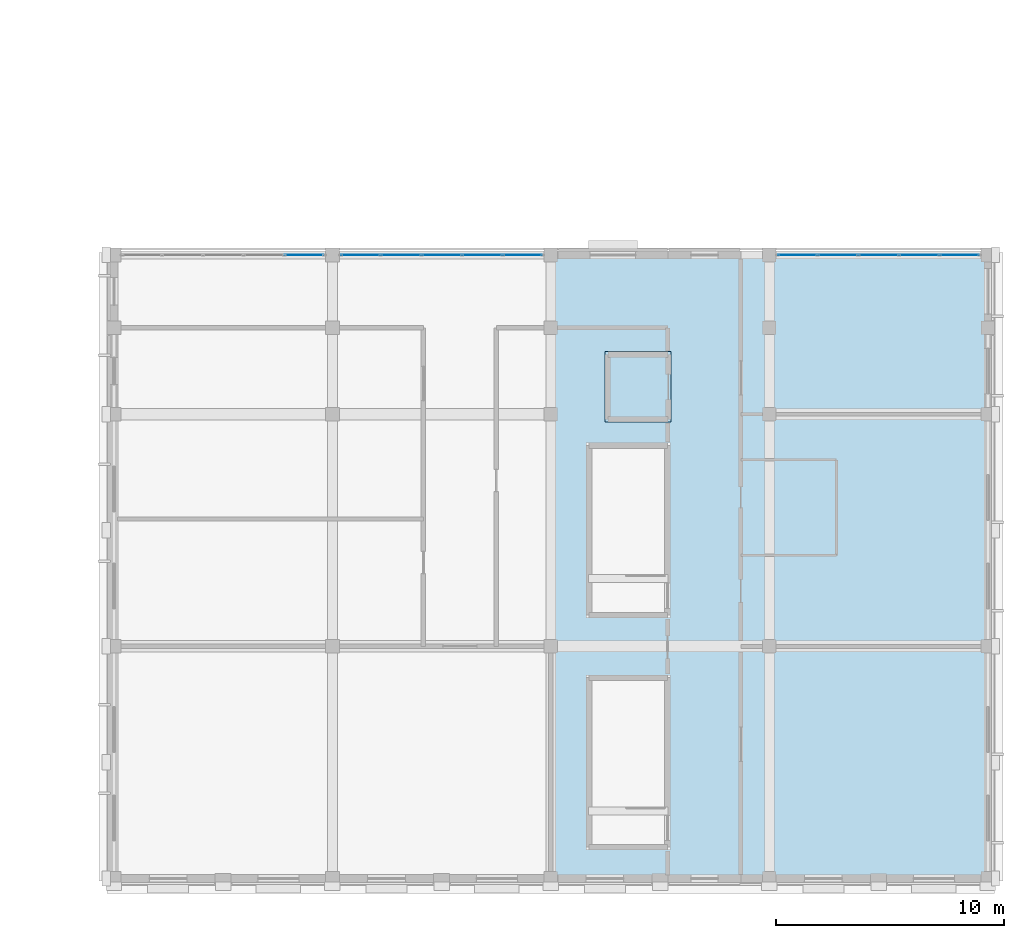
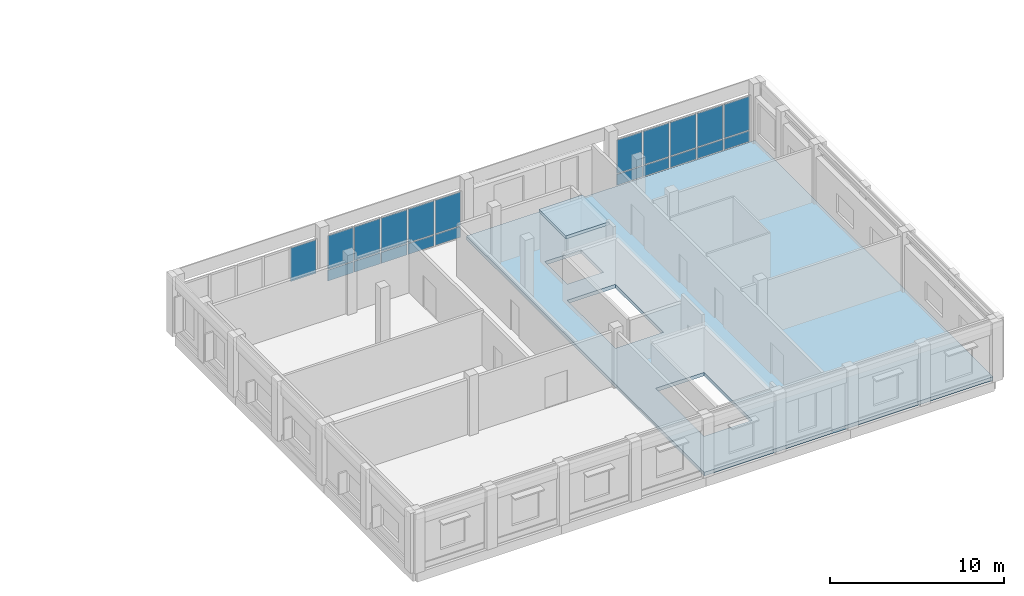
# One storey, part 72 of 93: 21 plates, 2 slabs, 3 elements without a shape of their own.
"""IFC4 building model written with IfcOpenShell, lengths in metres."""

from ifc_helpers import new_model, si_unit, direction, frame, origin, origin_2d, place, context, subcontext, project, spatial, polyline, rectangle, outline, extrude, material, layer, layer_set, type_object, element, aggregate, save


model = new_model("IFC4")

# Units and contexts
model_context = context("Model", 3, precision=1e-05, world=origin(), true_north=direction((0.0, 1.0)))
body_context = subcontext(model_context, "Body", "Model", "MODEL_VIEW")
ifc_project = project(units=[si_unit("LENGTHUNIT", "METRE"), si_unit("AREAUNIT", "SQUARE_METRE"), si_unit("VOLUMEUNIT", "CUBIC_METRE"), si_unit("PLANEANGLEUNIT", "RADIAN"), si_unit("MASSUNIT", "GRAM", prefix="KILO")], contexts=[model_context])

# Site, building, storey
site_placement = place(None, origin())
site = spatial("IfcSite", under=ifc_project, at=site_placement, CompositionType="ELEMENT")
building_placement = place(site_placement, origin())
building = spatial("IfcBuilding", under=site, at=building_placement, Name="Vondelvale Polytechnic", CompositionType="ELEMENT")
storey_placement = place(building_placement, frame((0.0, 0.0, 18.0)))
storey = spatial("IfcBuildingStorey", under=building, at=storey_placement, Name="L04", CompositionType="ELEMENT", Elevation=18.0)

# Curtain wall, plate
ifc_material_1 = material(Name="Anodised extruded aluminium 6063-T6", Category="aluminium")
curtain_wall_type = type_object("IfcCurtainWallType", Name="CW-STUDIO-NORTH", PredefinedType="NOTDEFINED", material=ifc_material_1)
curtain_wall_1_placement = place(storey_placement, origin())
curtain_wall_1 = element("IfcCurtainWall", 1, at=curtain_wall_1_placement, inside=storey, type_object=curtain_wall_type, Name="L04 architectural curtain wall CW-01-068", PredefinedType="NOTDEFINED")
ifc_material_2 = material(Name="Double-glazed low-E insulated architectural glass", Category="glass")
ifc_layer_1 = layer(ifc_material_2, 0.028076171875)
ifc_layer_set_1 = layer_set([ifc_layer_1], Name="CW-PANEL-GLAZED")
plate_type_1 = type_object("IfcPlateType", Name="CW-PANEL-GLAZED", PredefinedType="CURTAIN_PANEL", material=ifc_layer_set_1)
plate_1_placement = place(storey_placement, frame((142.759765625, 27.39990234375, 0.8798828125), z_axis=(0.0, 0.0, 1.0), x_axis=(1.0, 0.0, 0.0)))
plate_1 = element("IfcPlate", 2, at=plate_1_placement, type_object=plate_type_1, Name="CW-01-068 panel 5.2", PredefinedType="CURTAIN_PANEL", context=body_context, shape_type="SweptSolid", body=[
    extrude(rectangle(XDim=1.6904296875, YDim=0.028076171875, at=origin_2d()), origin(), (0.0, 0.0, 1.0), 2.360107421875),
])
aggregate(curtain_wall_1, [plate_1])

# Curtain wall, plates
curtain_wall_2_placement = place(storey_placement, origin())
curtain_wall_2 = element("IfcCurtainWall", 3, at=curtain_wall_2_placement, inside=storey, type_object=curtain_wall_type, Name="L04 architectural curtain wall CW-01-069", PredefinedType="NOTDEFINED")
plate_2_placement = place(storey_placement, frame((145.240234375, 27.39990234375, 0.8798828125), z_axis=(0.0, 0.0, 1.0), x_axis=(1.0, 0.0, 0.0)))
plate_2 = element("IfcPlate", 4, at=plate_2_placement, type_object=plate_type_1, Name="CW-01-069 panel 1.2", PredefinedType="CURTAIN_PANEL", context=body_context, shape_type="SweptSolid", body=[
    extrude(rectangle(XDim=1.6904296875, YDim=0.028076171875, at=origin_2d()), origin(), (0.0, 0.0, 1.0), 2.360107421875),
])
plate_3_placement = place(storey_placement, frame((147.011962890625, 27.39990234375, 0.8798828125), z_axis=(0.0, 0.0, 1.0), x_axis=(1.0, 0.0, 0.0)))
plate_3 = element("IfcPlate", 5, at=plate_3_placement, type_object=plate_type_1, Name="CW-01-069 panel 2.2", PredefinedType="CURTAIN_PANEL", context=body_context, shape_type="SweptSolid", body=[
    extrude(rectangle(XDim=1.722900390625, YDim=0.028076171875, at=origin_2d()), origin(), (0.0, 0.0, 1.0), 2.360107421875),
])
plate_4_placement = place(storey_placement, frame((148.800048828125, 27.39990234375, 0.8798828125), z_axis=(0.0, 0.0, 1.0), x_axis=(1.0, 0.0, 0.0)))
plate_4 = element("IfcPlate", 6, at=plate_4_placement, type_object=plate_type_1, Name="CW-01-069 panel 3.2", PredefinedType="CURTAIN_PANEL", context=body_context, shape_type="SweptSolid", body=[
    extrude(rectangle(XDim=1.722900390625, YDim=0.028076171875, at=origin_2d()), origin(), (0.0, 0.0, 1.0), 2.360107421875),
])
plate_5_placement = place(storey_placement, frame((150.587890625, 27.39990234375, 0.8798828125), z_axis=(0.0, 0.0, 1.0), x_axis=(1.0, 0.0, 0.0)))
plate_5 = element("IfcPlate", 7, at=plate_5_placement, type_object=plate_type_1, Name="CW-01-069 panel 4.2", PredefinedType="CURTAIN_PANEL", context=body_context, shape_type="SweptSolid", body=[
    extrude(rectangle(XDim=1.722900390625, YDim=0.028076171875, at=origin_2d()), origin(), (0.0, 0.0, 1.0), 2.360107421875),
])
plate_6_placement = place(storey_placement, frame((152.35986328125, 27.39990234375, 0.8798828125), z_axis=(0.0, 0.0, 1.0), x_axis=(1.0, 0.0, 0.0)))
plate_6 = element("IfcPlate", 8, at=plate_6_placement, type_object=plate_type_1, Name="CW-01-069 panel 5.2", PredefinedType="CURTAIN_PANEL", context=body_context, shape_type="SweptSolid", body=[
    extrude(rectangle(XDim=1.6904296875, YDim=0.028076171875, at=origin_2d()), origin(), (0.0, 0.0, 1.0), 2.360107421875),
])

curtain_wall_3_placement = place(storey_placement, origin())
curtain_wall_3 = element("IfcCurtainWall", 9, at=curtain_wall_3_placement, inside=storey, type_object=curtain_wall_type, Name="L04 architectural curtain wall CW-01-070", PredefinedType="NOTDEFINED")
plate_7_placement = place(storey_placement, frame((164.440185546875, 27.39990234375, 0.8798828125), z_axis=(0.0, 0.0, 1.0), x_axis=(1.0, 0.0, 0.0)))
plate_7 = element("IfcPlate", 10, at=plate_7_placement, type_object=plate_type_1, Name="CW-01-070 panel 1.2", PredefinedType="CURTAIN_PANEL", context=body_context, shape_type="SweptSolid", body=[
    extrude(rectangle(XDim=1.6904296875, YDim=0.028076171875, at=origin_2d()), origin(), (0.0, 0.0, 1.0), 2.360107421875),
])
plate_8_placement = place(storey_placement, frame((166.2119140625, 27.39990234375, 0.8798828125), z_axis=(0.0, 0.0, 1.0), x_axis=(1.0, 0.0, 0.0)))
plate_8 = element("IfcPlate", 11, at=plate_8_placement, type_object=plate_type_1, Name="CW-01-070 panel 2.2", PredefinedType="CURTAIN_PANEL", context=body_context, shape_type="SweptSolid", body=[
    extrude(rectangle(XDim=1.722900390625, YDim=0.028076171875, at=origin_2d()), origin(), (0.0, 0.0, 1.0), 2.360107421875),
])
plate_9_placement = place(storey_placement, frame((168.0, 27.39990234375, 0.8798828125), z_axis=(0.0, 0.0, 1.0), x_axis=(1.0, 0.0, 0.0)))
plate_9 = element("IfcPlate", 12, at=plate_9_placement, type_object=plate_type_1, Name="CW-01-070 panel 3.2", PredefinedType="CURTAIN_PANEL", context=body_context, shape_type="SweptSolid", body=[
    extrude(rectangle(XDim=1.722900390625, YDim=0.028076171875, at=origin_2d()), origin(), (0.0, 0.0, 1.0), 2.360107421875),
])
plate_10_placement = place(storey_placement, frame((169.7880859375, 27.39990234375, 0.8798828125), z_axis=(0.0, 0.0, 1.0), x_axis=(1.0, 0.0, 0.0)))
plate_10 = element("IfcPlate", 13, at=plate_10_placement, type_object=plate_type_1, Name="CW-01-070 panel 4.2", PredefinedType="CURTAIN_PANEL", context=body_context, shape_type="SweptSolid", body=[
    extrude(rectangle(XDim=1.722900390625, YDim=0.028076171875, at=origin_2d()), origin(), (0.0, 0.0, 1.0), 2.360107421875),
])
plate_11_placement = place(storey_placement, frame((171.559814453125, 27.39990234375, 0.8798828125), z_axis=(0.0, 0.0, 1.0), x_axis=(1.0, 0.0, 0.0)))
plate_11 = element("IfcPlate", 14, at=plate_11_placement, type_object=plate_type_1, Name="CW-01-070 panel 5.2", PredefinedType="CURTAIN_PANEL", context=body_context, shape_type="SweptSolid", body=[
    extrude(rectangle(XDim=1.6904296875, YDim=0.028076171875, at=origin_2d()), origin(), (0.0, 0.0, 1.0), 2.360107421875),
])

# Plate
ifc_material_3 = material(Name="Kiln-fired architectural terracotta", Category="masonry")
ifc_layer_2 = layer(ifc_material_3, 0.035888671875)
ifc_layer_set_2 = layer_set([ifc_layer_2], Name="CW-PANEL-SPANDREL")
plate_type_2 = type_object("IfcPlateType", Name="CW-PANEL-SPANDREL", PredefinedType="CURTAIN_PANEL", material=ifc_layer_set_2)
plate_12_placement = place(storey_placement, frame((145.240234375, 27.39990234375, 0.06005859375), z_axis=(0.0, 0.0, 1.0), x_axis=(1.0, 0.0, 0.0)))
plate_12 = element("IfcPlate", 15, at=plate_12_placement, type_object=plate_type_2, Name="CW-01-069 panel 1.1", PredefinedType="CURTAIN_PANEL", context=body_context, shape_type="SweptSolid", body=[
    extrude(rectangle(XDim=1.6904296875, YDim=0.035888671875, at=origin_2d()), origin(), (0.0, 0.0, 1.0), 0.760009765625),
])

plate_13_placement = place(storey_placement, frame((147.011962890625, 27.39990234375, 0.06005859375), z_axis=(0.0, 0.0, 1.0), x_axis=(1.0, 0.0, 0.0)))
plate_13 = element("IfcPlate", 16, at=plate_13_placement, type_object=plate_type_2, Name="CW-01-069 panel 2.1", PredefinedType="CURTAIN_PANEL", context=body_context, shape_type="SweptSolid", body=[
    extrude(rectangle(XDim=1.722900390625, YDim=0.035888671875, at=origin_2d()), origin(), (0.0, 0.0, 1.0), 0.760009765625),
])

plate_14_placement = place(storey_placement, frame((148.800048828125, 27.39990234375, 0.06005859375), z_axis=(0.0, 0.0, 1.0), x_axis=(1.0, 0.0, 0.0)))
plate_14 = element("IfcPlate", 17, at=plate_14_placement, type_object=plate_type_2, Name="CW-01-069 panel 3.1", PredefinedType="CURTAIN_PANEL", context=body_context, shape_type="SweptSolid", body=[
    extrude(rectangle(XDim=1.722900390625, YDim=0.035888671875, at=origin_2d()), origin(), (0.0, 0.0, 1.0), 0.760009765625),
])

plate_15_placement = place(storey_placement, frame((150.587890625, 27.39990234375, 0.06005859375), z_axis=(0.0, 0.0, 1.0), x_axis=(1.0, 0.0, 0.0)))
plate_15 = element("IfcPlate", 18, at=plate_15_placement, type_object=plate_type_2, Name="CW-01-069 panel 4.1", PredefinedType="CURTAIN_PANEL", context=body_context, shape_type="SweptSolid", body=[
    extrude(rectangle(XDim=1.722900390625, YDim=0.035888671875, at=origin_2d()), origin(), (0.0, 0.0, 1.0), 0.760009765625),
])

plate_16_placement = place(storey_placement, frame((152.35986328125, 27.39990234375, 0.06005859375), z_axis=(0.0, 0.0, 1.0), x_axis=(1.0, 0.0, 0.0)))
plate_16 = element("IfcPlate", 19, at=plate_16_placement, type_object=plate_type_2, Name="CW-01-069 panel 5.1", PredefinedType="CURTAIN_PANEL", context=body_context, shape_type="SweptSolid", body=[
    extrude(rectangle(XDim=1.6904296875, YDim=0.035888671875, at=origin_2d()), origin(), (0.0, 0.0, 1.0), 0.760009765625),
])

aggregate(curtain_wall_2, [plate_12, plate_2, plate_13, plate_3, plate_14, plate_4, plate_15, plate_5, plate_16, plate_6])

plate_17_placement = place(storey_placement, frame((164.440185546875, 27.39990234375, 0.06005859375), z_axis=(0.0, 0.0, 1.0), x_axis=(1.0, 0.0, 0.0)))
plate_17 = element("IfcPlate", 20, at=plate_17_placement, type_object=plate_type_2, Name="CW-01-070 panel 1.1", PredefinedType="CURTAIN_PANEL", context=body_context, shape_type="SweptSolid", body=[
    extrude(rectangle(XDim=1.6904296875, YDim=0.035888671875, at=origin_2d()), origin(), (0.0, 0.0, 1.0), 0.760009765625),
])

plate_18_placement = place(storey_placement, frame((166.2119140625, 27.39990234375, 0.06005859375), z_axis=(0.0, 0.0, 1.0), x_axis=(1.0, 0.0, 0.0)))
plate_18 = element("IfcPlate", 21, at=plate_18_placement, type_object=plate_type_2, Name="CW-01-070 panel 2.1", PredefinedType="CURTAIN_PANEL", context=body_context, shape_type="SweptSolid", body=[
    extrude(rectangle(XDim=1.722900390625, YDim=0.035888671875, at=origin_2d()), origin(), (0.0, 0.0, 1.0), 0.760009765625),
])

plate_19_placement = place(storey_placement, frame((168.0, 27.39990234375, 0.06005859375), z_axis=(0.0, 0.0, 1.0), x_axis=(1.0, 0.0, 0.0)))
plate_19 = element("IfcPlate", 22, at=plate_19_placement, type_object=plate_type_2, Name="CW-01-070 panel 3.1", PredefinedType="CURTAIN_PANEL", context=body_context, shape_type="SweptSolid", body=[
    extrude(rectangle(XDim=1.722900390625, YDim=0.035888671875, at=origin_2d()), origin(), (0.0, 0.0, 1.0), 0.760009765625),
])

plate_20_placement = place(storey_placement, frame((169.7880859375, 27.39990234375, 0.06005859375), z_axis=(0.0, 0.0, 1.0), x_axis=(1.0, 0.0, 0.0)))
plate_20 = element("IfcPlate", 23, at=plate_20_placement, type_object=plate_type_2, Name="CW-01-070 panel 4.1", PredefinedType="CURTAIN_PANEL", context=body_context, shape_type="SweptSolid", body=[
    extrude(rectangle(XDim=1.722900390625, YDim=0.035888671875, at=origin_2d()), origin(), (0.0, 0.0, 1.0), 0.760009765625),
])

plate_21_placement = place(storey_placement, frame((171.559814453125, 27.39990234375, 0.06005859375), z_axis=(0.0, 0.0, 1.0), x_axis=(1.0, 0.0, 0.0)))
plate_21 = element("IfcPlate", 24, at=plate_21_placement, type_object=plate_type_2, Name="CW-01-070 panel 5.1", PredefinedType="CURTAIN_PANEL", context=body_context, shape_type="SweptSolid", body=[
    extrude(rectangle(XDim=1.6904296875, YDim=0.035888671875, at=origin_2d()), origin(), (0.0, 0.0, 1.0), 0.760009765625),
])

aggregate(curtain_wall_3, [plate_17, plate_7, plate_18, plate_8, plate_19, plate_9, plate_20, plate_10, plate_21, plate_11])

# Slabs
ifc_material_4 = material(Name="Concrete N40 (f'c = 40 MPa)", Category="concrete")
ifc_layer_3 = layer(ifc_material_4, 0.25)
ifc_layer_set_3 = layer_set([ifc_layer_3], Name="SLB-LAB-250")
slab_type_1 = type_object("IfcSlabType", Name="SLB-LAB-250", PredefinedType="FLOOR", material=ifc_layer_set_3)
slab_1_placement = place(storey_placement, frame((0.0, 0.0, -0.25)))
element("IfcSlab", 25, at=slab_1_placement, inside=storey, type_object=slab_type_1, Name="L04 lecture wing slab E", PredefinedType="FLOOR", context=body_context, shape_type="SweptSolid", body=[
    extrude(outline(polyline([(153.60009765625, 0.0), (172.800048828125, 0.0), (172.800048828125, 27.39990234375), (153.60009765625, 27.39990234375), (153.60009765625, 0.0)]), holes=[polyline([(158.60009765625, 3.14990234375), (158.60009765625, 8.699951171875), (155.39990234375, 8.699951171875), (155.39990234375, 3.14990234375), (158.60009765625, 3.14990234375)]), polyline([(158.60009765625, 13.35009765625), (158.60009765625, 18.89990234375), (155.39990234375, 18.89990234375), (155.39990234375, 13.35009765625), (158.60009765625, 13.35009765625)]), polyline([(156.22509765625, 20.300048828125), (158.625, 20.300048828125), (158.625, 22.89990234375), (156.22509765625, 22.89990234375), (156.22509765625, 20.300048828125)])]), origin(), (0.0, 0.0, 1.0), 0.25),
])
ifc_layer_4 = layer(ifc_material_4, 0.199951171875)
ifc_layer_set_4 = layer_set([ifc_layer_4], Name="SLB-ROOF-200")
slab_type_2 = type_object("IfcSlabType", Name="SLB-ROOF-200", PredefinedType="ROOF", material=ifc_layer_set_4)
slab_2_placement = place(storey_placement, frame((0.0, 0.0, 3.39990234375)))
element("IfcSlab", 26, at=slab_2_placement, inside=storey, type_object=slab_type_2, Name="PL-03 lift shaft overrun cap slab", PredefinedType="ROOF", context=body_context, shape_type="SweptSolid", body=[
    extrude(outline(polyline([(155.97509765625, 20.050048828125), (158.875, 20.050048828125), (158.875, 23.14990234375), (155.97509765625, 23.14990234375), (155.97509765625, 20.050048828125)])), origin(), (0.0, 0.0, 1.0), 0.22021484375),
])

save(model, "model.ifc")
